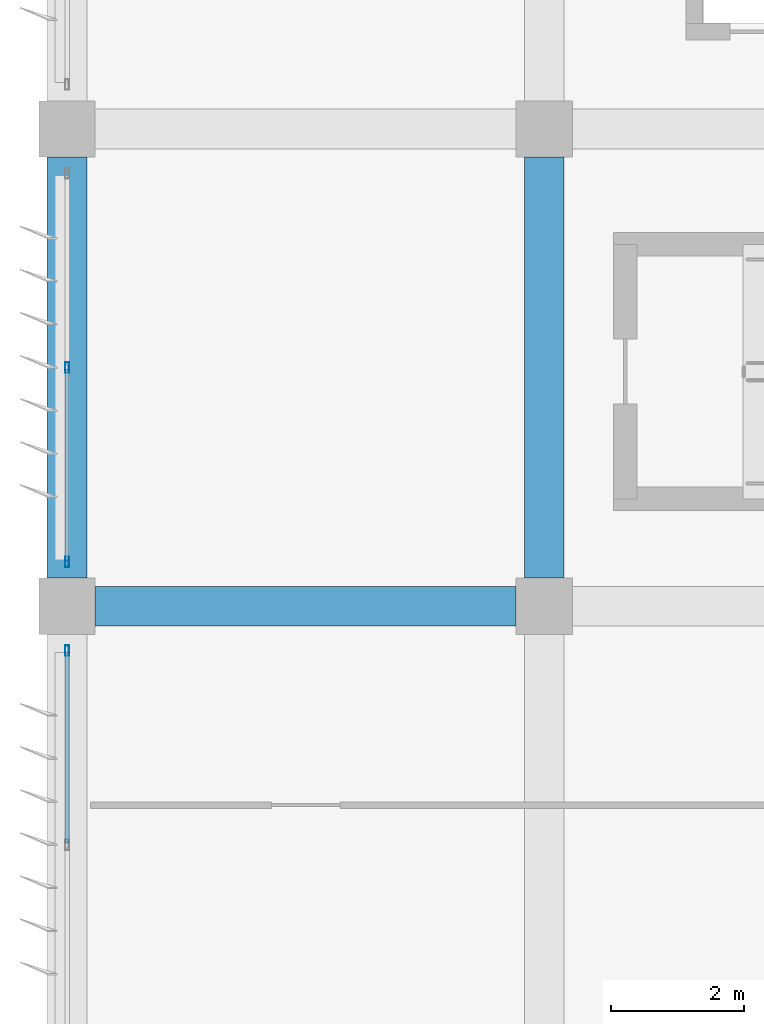
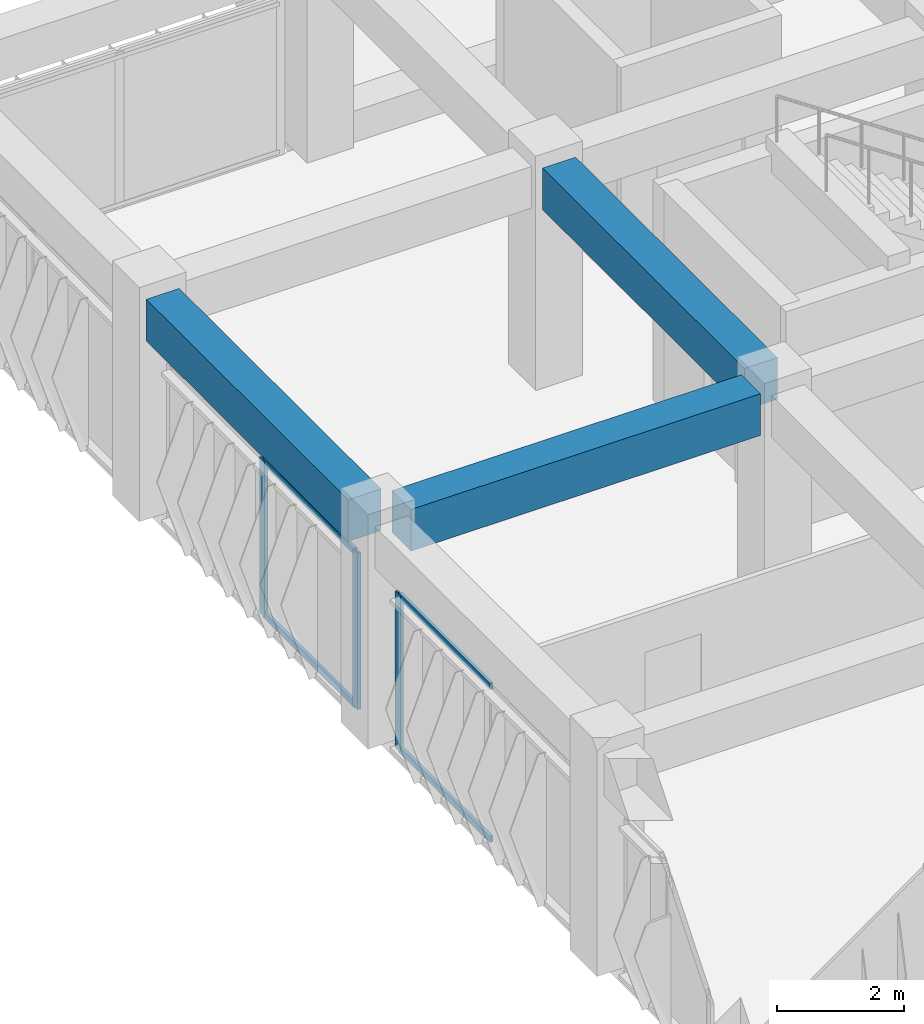
# One storey, part 4 of 48: 7 members, 3 beams, 2 elements without a shape of their own.
"""IFC4 building model written with IfcOpenShell, lengths in metres."""

from ifc_helpers import new_model, si_unit, direction, frame, origin, origin_2d, place, context, subcontext, project, spatial, rectangle, hollow_rectangle, extrude, material, material_profile, profile_set, type_object, element, aggregate, save


model = new_model("IFC4")

# Units and contexts
model_context = context("Model", 3, precision=1e-05, world=origin(), true_north=direction((0.0, 1.0)))
body_context = subcontext(model_context, "Body", "Model", "MODEL_VIEW")
ifc_project = project(units=[si_unit("LENGTHUNIT", "METRE"), si_unit("AREAUNIT", "SQUARE_METRE"), si_unit("VOLUMEUNIT", "CUBIC_METRE"), si_unit("PLANEANGLEUNIT", "RADIAN"), si_unit("MASSUNIT", "GRAM", prefix="KILO")], contexts=[model_context])

# Site, building, storey
site_placement = place(None, origin())
site = spatial("IfcSite", under=ifc_project, at=site_placement, CompositionType="ELEMENT")
building_placement = place(site_placement, origin())
building = spatial("IfcBuilding", under=site, at=building_placement, Name="Kazehaya Institute of Natural Sciences", CompositionType="ELEMENT")
storey_placement = place(building_placement, frame((0.0, 0.0, 19.800048828125)))
storey = spatial("IfcBuildingStorey", under=building, at=storey_placement, Name="L04", CompositionType="ELEMENT", Elevation=19.800048828125)

# Beams
ifc_material_1 = material(Name="Concrete Fc36", Category="concrete")
ifc_material_profile_1 = material_profile(ifc_material_1, rectangle(XDim=0.60009765625, YDim=0.800048828125, at=origin_2d()), Name="RC-600x800")
ifc_profile_set_1 = profile_set([ifc_material_profile_1], Name="Concrete Fc36")
beam_type = type_object("IfcBeamType", Name="BM-G-600x800", PredefinedType="BEAM", material=ifc_profile_set_1)
for number, where, z_axis, x_axis, name in (
    (1, (55.02490234375, 21.199951171875, 3.829833984375), (1.0, 0.0, 0.0), (0.0, 1.0, 0.0), "L04 primary X girder BMX-L04-546-212"),
    (2, (54.60009765625, 21.625, 3.829833984375), (0.0, 1.0, 0.0), (-1.0, 0.0, 0.0), "L04 primary Y girder BMY-L04-546-212"),
    (3, (61.800048828125, 21.625, 3.829833984375), (0.0, 1.0, 0.0), (-1.0, 0.0, 0.0), "L04 primary Y girder BMY-L04-618-212"),
):
    element("IfcBeam", number, at=place(storey_placement, frame(where, z_axis=z_axis, x_axis=x_axis)), inside=storey, type_object=beam_type, Name=name, PredefinedType="BEAM", context=body_context, shape_type="SweptSolid", body=[
        extrude(rectangle(XDim=0.60009765625, YDim=0.800048828125, at=origin_2d()), origin(), (0.0, 0.0, 1.0), 6.35009765625),
    ])

# Curtain wall, member
ifc_material_2 = material(Name="Aluminium alloy A6063S-T5", Category="aluminium")
curtain_wall_type = type_object("IfcCurtainWallType", Name="CW-SYS-10", PredefinedType="NOTDEFINED", material=ifc_material_2)
curtain_wall_1_placement = place(storey_placement, origin())
curtain_wall_1 = element("IfcCurtainWall", 4, at=curtain_wall_1_placement, inside=storey, type_object=curtain_wall_type, Name="L04 unitised curtain wall CW-L04-088", PredefinedType="NOTDEFINED")
ifc_material_profile_2 = material_profile(ifc_material_2, hollow_rectangle(XDim=0.06005859375, YDim=0.159912109375, WallThickness=0.00390625, at=origin_2d()), Name="ALU-60x160x4")
ifc_profile_set_2 = profile_set([ifc_material_profile_2], Name="Aluminium alloy A6063S-T5")
member_type_1 = type_object("IfcMemberType", Name="CWM-160", PredefinedType="MULLION", material=ifc_profile_set_2)
member_1_placement = place(storey_placement, frame((54.60009765625, 20.530029296875, 0.0), z_axis=(0.0, 0.0, 1.0), x_axis=(-1.0, 0.0, 0.0)))
member_1 = element("IfcMember", 5, at=member_1_placement, type_object=member_type_1, Name="CW10 mullion 3", PredefinedType="MULLION", context=body_context, shape_type="SweptSolid", body=[
    extrude(hollow_rectangle(XDim=0.06005859375, YDim=0.159912109375, WallThickness=0.00390625, at=origin_2d()), origin(), (0.0, 0.0, 1.0), 3.0),
])

# Curtain wall, members
curtain_wall_2_placement = place(storey_placement, origin())
curtain_wall_2 = element("IfcCurtainWall", 6, at=curtain_wall_2_placement, inside=storey, type_object=curtain_wall_type, Name="L04 unitised curtain wall CW-L04-090", PredefinedType="NOTDEFINED")
member_2_placement = place(storey_placement, frame((54.60009765625, 21.8701171875, 0.0), z_axis=(0.0, 0.0, 1.0), x_axis=(-1.0, 0.0, 0.0)))
member_2 = element("IfcMember", 7, at=member_2_placement, type_object=member_type_1, Name="CW10 mullion 1", PredefinedType="MULLION", context=body_context, shape_type="SweptSolid", body=[
    extrude(hollow_rectangle(XDim=0.06005859375, YDim=0.159912109375, WallThickness=0.00390625, at=origin_2d()), origin(), (0.0, 0.0, 1.0), 3.0),
])
member_3_placement = place(storey_placement, frame((54.60009765625, 24.800048828125, 0.0), z_axis=(0.0, 0.0, 1.0), x_axis=(-1.0, 0.0, 0.0)))
member_3 = element("IfcMember", 8, at=member_3_placement, type_object=member_type_1, Name="CW10 mullion 2", PredefinedType="MULLION", context=body_context, shape_type="SweptSolid", body=[
    extrude(hollow_rectangle(XDim=0.06005859375, YDim=0.159912109375, WallThickness=0.00390625, at=origin_2d()), origin(), (0.0, 0.0, 1.0), 3.0),
])

# Member
ifc_material_profile_3 = material_profile(ifc_material_2, hollow_rectangle(XDim=0.06005859375, YDim=0.1201171875, WallThickness=0.00341796875, at=origin_2d()), Name="ALU-60x120x3.5")
ifc_profile_set_3 = profile_set([ifc_material_profile_3], Name="Aluminium alloy A6063S-T5")
member_type_2 = type_object("IfcMemberType", Name="CWT-120", PredefinedType="USERDEFINED", material=ifc_profile_set_3)
member_4_placement = place(storey_placement, frame((54.60009765625, 17.6298828125, 0.030029296875), z_axis=(0.0, 1.0, 0.0), x_axis=(-1.0, 0.0, 0.0)))
member_4 = element("IfcMember", 9, at=member_4_placement, type_object=member_type_2, Name="CW10 transom 2.1", ObjectType="TRANSOM", PredefinedType="USERDEFINED", context=body_context, shape_type="SweptSolid", body=[
    extrude(hollow_rectangle(XDim=0.06005859375, YDim=0.1201171875, WallThickness=0.00341796875, at=origin_2d()), origin(), (0.0, 0.0, 1.0), 2.8701171875),
])

member_5_placement = place(storey_placement, frame((54.60009765625, 17.6298828125, 2.969970703125), z_axis=(0.0, 1.0, 0.0), x_axis=(-1.0, 0.0, 0.0)))
member_5 = element("IfcMember", 10, at=member_5_placement, type_object=member_type_2, Name="CW10 transom 2.2", ObjectType="TRANSOM", PredefinedType="USERDEFINED", context=body_context, shape_type="SweptSolid", body=[
    extrude(hollow_rectangle(XDim=0.06005859375, YDim=0.1201171875, WallThickness=0.00341796875, at=origin_2d()), origin(), (0.0, 0.0, 1.0), 2.8701171875),
])

aggregate(curtain_wall_1, [member_1, member_4, member_5])

member_6_placement = place(storey_placement, frame((54.60009765625, 21.89990234375, 0.030029296875), z_axis=(0.0, 1.0, 0.0), x_axis=(-1.0, 0.0, 0.0)))
member_6 = element("IfcMember", 11, at=member_6_placement, type_object=member_type_2, Name="CW10 transom 1.1", ObjectType="TRANSOM", PredefinedType="USERDEFINED", context=body_context, shape_type="SweptSolid", body=[
    extrude(hollow_rectangle(XDim=0.06005859375, YDim=0.1201171875, WallThickness=0.00341796875, at=origin_2d()), origin(), (0.0, 0.0, 1.0), 2.8701171875),
])

member_7_placement = place(storey_placement, frame((54.60009765625, 21.89990234375, 2.969970703125), z_axis=(0.0, 1.0, 0.0), x_axis=(-1.0, 0.0, 0.0)))
member_7 = element("IfcMember", 12, at=member_7_placement, type_object=member_type_2, Name="CW10 transom 1.2", ObjectType="TRANSOM", PredefinedType="USERDEFINED", context=body_context, shape_type="SweptSolid", body=[
    extrude(hollow_rectangle(XDim=0.06005859375, YDim=0.1201171875, WallThickness=0.00341796875, at=origin_2d()), origin(), (0.0, 0.0, 1.0), 2.8701171875),
])

aggregate(curtain_wall_2, [member_2, member_3, member_6, member_7])

save(model, "model.ifc")
